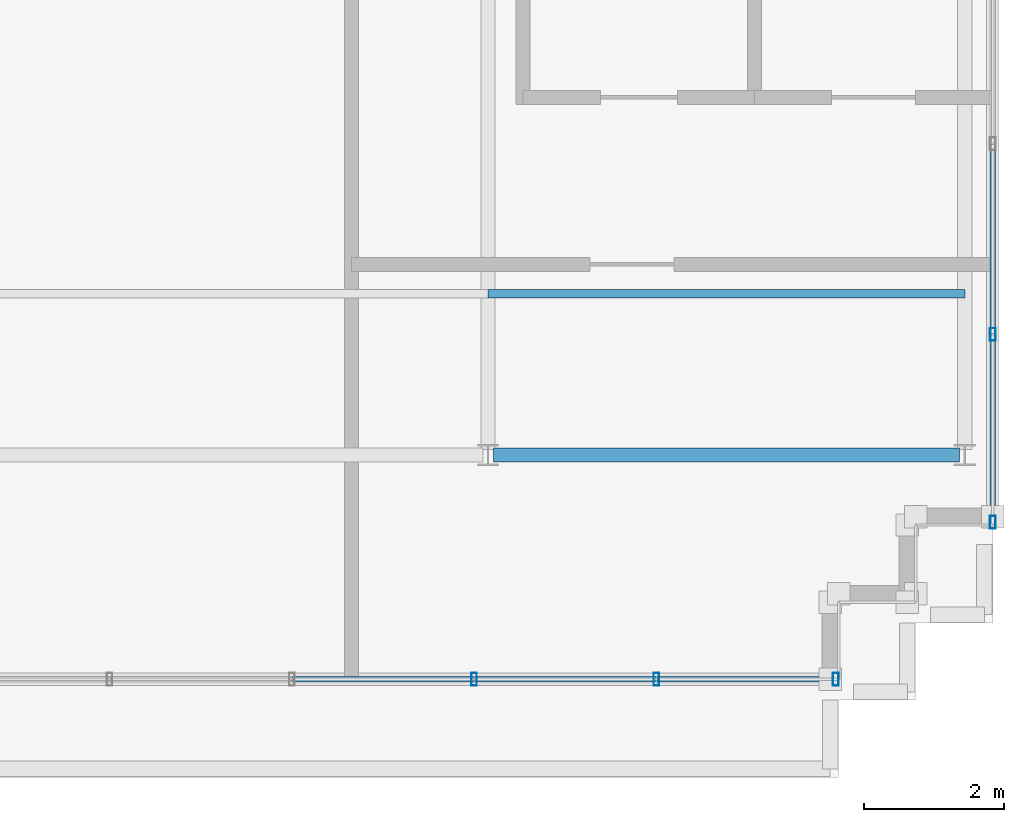
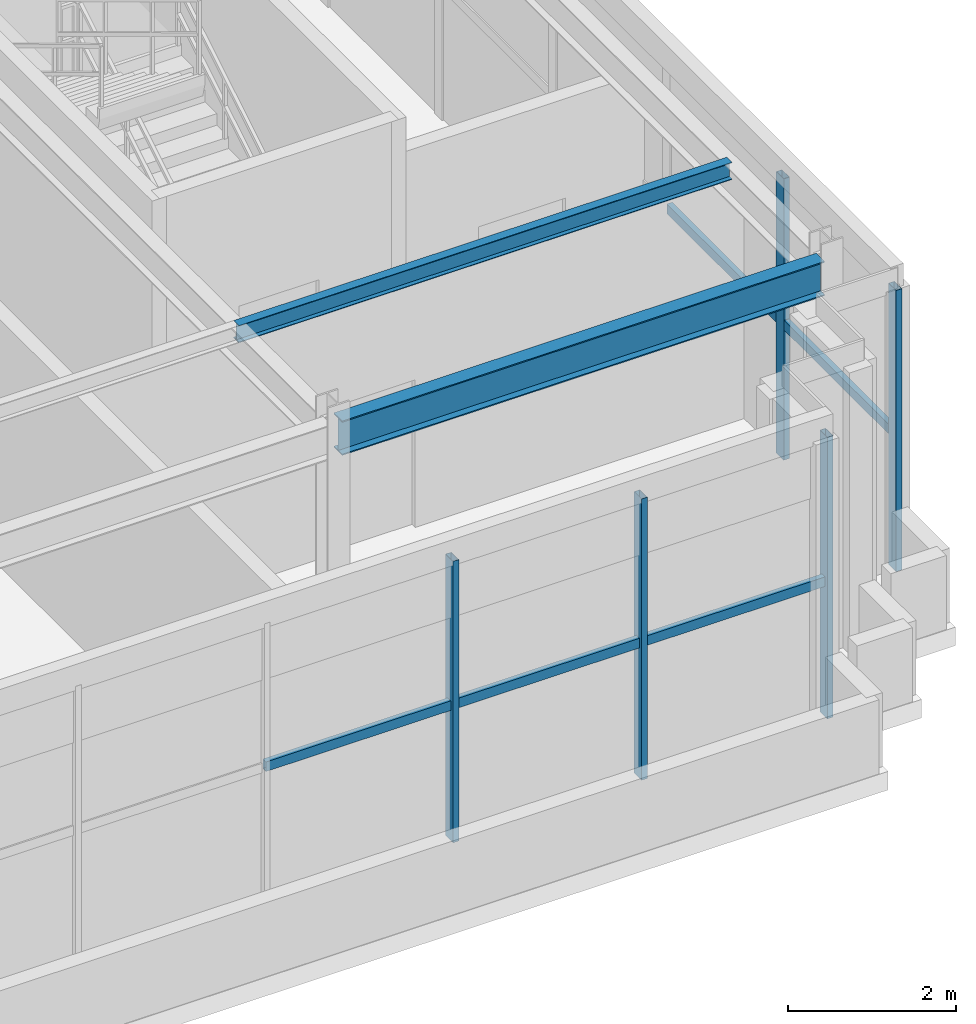
# One storey, part 18 of 37: 11 members, 1 beam, 2 elements without a shape of their own.
"""IFC4 building model written with IfcOpenShell, lengths in metres."""

from ifc_helpers import new_model, si_unit, direction, frame, origin, origin_2d, place, context, subcontext, project, spatial, hollow_rectangle, i_section, extrude, source, transform, mapped, material, material_profile, profile_set, type_object, element, aggregate, save


model = new_model("IFC4")

# Units and contexts
model_context = context("Model", 3, precision=1e-05, world=origin(), true_north=direction((0.0, 1.0)))
body_context = subcontext(model_context, "Body", "Model", "MODEL_VIEW")
ifc_project = project(units=[si_unit("LENGTHUNIT", "METRE"), si_unit("AREAUNIT", "SQUARE_METRE"), si_unit("VOLUMEUNIT", "CUBIC_METRE"), si_unit("PLANEANGLEUNIT", "RADIAN"), si_unit("MASSUNIT", "GRAM", prefix="KILO")], contexts=[model_context])

# Site, building, storey
site_placement = place(None, origin())
site = spatial("IfcSite", under=ifc_project, at=site_placement, CompositionType="ELEMENT")
building_placement = place(site_placement, origin())
building = spatial("IfcBuilding", under=site, at=building_placement, Name="Trelvane Seafront Commons", CompositionType="ELEMENT")
storey_placement = place(building_placement, frame((0.0, 0.0, 303.5)))
storey = spatial("IfcBuildingStorey", under=building, at=storey_placement, Name="L79", CompositionType="ELEMENT", Elevation=303.5)

# Beam
ifc_material_1 = material(Name="Steel SM355 (S355)", Category="steel")
ifc_material_profile_1 = material_profile(ifc_material_1, i_section(OverallWidth=0.199951171875, OverallDepth=0.5, WebThickness=0.010009765625, FlangeThickness=0.01611328125, at=origin_2d()), Name="H-500x200x10x16")
ifc_profile_set_1 = profile_set([ifc_material_profile_1], Name="Steel SM355 (S355)")
beam_type = type_object("IfcBeamType", Name="STR-CROWN-FRAME-RING", PredefinedType="SPANDREL", material=ifc_profile_set_1)
shared_shape_1 = source(origin(), body_context, "Body", "SweptSolid", [
    extrude(i_section(OverallWidth=0.199951171875, OverallDepth=0.5, WebThickness=0.010009765625, FlangeThickness=0.01611328125, at=origin_2d()), origin(), (0.0, 0.0, 1.0), 6.64990234375),
])
beam_placement = place(storey_placement, frame((58.875, 18.199951171875, 3.85009765625), z_axis=(1.0, 0.0, 0.0), x_axis=(0.0, 1.0, 0.0)))
element("IfcBeam", 1, at=beam_placement, inside=storey, type_object=beam_type, Name="L79 CROWN FRAME Ring Beam G-07", PredefinedType="SPANDREL", context=body_context, shape_type="MappedRepresentation", body=[
    mapped(shared_shape_1, transform((0.0, 0.0, 0.0), x_axis=(1.0, 0.0, 0.0), y_axis=(0.0, 1.0, 0.0), z_axis=(0.0, 0.0, 1.0), scale=1.0)),
])

# Member
ifc_material_profile_2 = material_profile(ifc_material_1, i_section(OverallWidth=0.125, OverallDepth=0.25, WebThickness=0.006103515625, FlangeThickness=0.009033203125, at=origin_2d()), Name="H-250x125x6x9")
ifc_profile_set_2 = profile_set([ifc_material_profile_2], Name="Steel SM355 (S355)")
member_type_1 = type_object("IfcMemberType", Name="STR-PUR-H250", PredefinedType="PURLIN", material=ifc_profile_set_2)
shared_shape_2 = source(origin(), body_context, "Body", "SweptSolid", [
    extrude(i_section(OverallWidth=0.125, OverallDepth=0.25, WebThickness=0.006103515625, FlangeThickness=0.009033203125, at=origin_2d()), origin(), (0.0, 0.0, 1.0), 6.800048828125),
])
member_1_placement = place(storey_placement, frame((58.800048828125, 20.5, 3.97509765625), z_axis=(1.0, 0.0, 0.0), x_axis=(0.0, 1.0, 0.0)))
element("IfcMember", 2, at=member_1_placement, inside=storey, type_object=member_type_1, Name="L79 Crown Roof Purlin PR-1", PredefinedType="PURLIN", context=body_context, shape_type="MappedRepresentation", body=[
    mapped(shared_shape_2, transform((0.0, 0.0, 0.0), x_axis=(1.0, 0.0, 0.0), y_axis=(0.0, 1.0, 0.0), z_axis=(0.0, 0.0, 1.0), scale=1.0)),
])

# Curtain wall, members
ifc_material_2 = material(Name="Anodised pale-silver aluminium", Category="aluminium")
curtain_wall_type = type_object("IfcCurtainWallType", Name="ARCH-CW6-CROWN", PredefinedType="NOTDEFINED", material=ifc_material_2)
curtain_wall_1_placement = place(storey_placement, origin())
curtain_wall_1 = element("IfcCurtainWall", 3, at=curtain_wall_1_placement, inside=storey, type_object=curtain_wall_type, Name="CW-L79-0130", PredefinedType="NOTDEFINED")
ifc_material_profile_3 = material_profile(ifc_material_2, hollow_rectangle(XDim=0.080078125, YDim=0.179931640625, WallThickness=0.00439453125, at=origin_2d()), Name="MULL-80x180x4.5")
ifc_profile_set_3 = profile_set([ifc_material_profile_3], Name="Anodised pale-silver aluminium")
member_type_2 = type_object("IfcMemberType", Name="ARCH-CW-MULL-180", PredefinedType="MULLION", material=ifc_profile_set_3)
shared_shape_3 = source(origin(), body_context, "Body", "SweptSolid", [
    extrude(hollow_rectangle(XDim=0.080078125, YDim=0.179931640625, WallThickness=0.00439453125, at=origin_2d()), origin(), (0.0, 0.0, 1.0), 4.10009765625),
])
member_2_placement = place(storey_placement, frame((66.0, 19.919921875, 0.0), z_axis=(0.0, 0.0, 1.0), x_axis=(1.0, 0.0, 0.0)))
member_2 = element("IfcMember", 4, at=member_2_placement, type_object=member_type_2, Name="CW-L79-0130-M09", PredefinedType="MULLION", context=body_context, shape_type="MappedRepresentation", body=[
    mapped(shared_shape_3, transform((0.0, 0.0, 0.0), x_axis=(1.0, 0.0, 0.0), y_axis=(0.0, 1.0, 0.0), z_axis=(0.0, 0.0, 1.0), scale=1.0)),
])
member_3_placement = place(storey_placement, frame((66.0, 17.239990234375, 0.0), z_axis=(0.0, 0.0, 1.0), x_axis=(1.0, 0.0, 0.0)))
member_3 = element("IfcMember", 5, at=member_3_placement, type_object=member_type_2, Name="CW-L79-0130-M10", PredefinedType="MULLION", context=body_context, shape_type="MappedRepresentation", body=[
    mapped(shared_shape_3, transform((0.0, 0.0, 0.0), x_axis=(1.0, 0.0, 0.0), y_axis=(0.0, 1.0, 0.0), z_axis=(0.0, 0.0, 1.0), scale=1.0)),
])

curtain_wall_2_placement = place(storey_placement, origin())
curtain_wall_2 = element("IfcCurtainWall", 6, at=curtain_wall_2_placement, inside=storey, type_object=curtain_wall_type, Name="CW-L79-0131", PredefinedType="NOTDEFINED")
member_4_placement = place(storey_placement, frame((63.760009765625, 15.0, 0.0), z_axis=(0.0, 0.0, 1.0), x_axis=(1.0, 0.0, 0.0)))
member_4 = element("IfcMember", 7, at=member_4_placement, type_object=member_type_2, Name="CW-L79-0131-M00", PredefinedType="MULLION", context=body_context, shape_type="MappedRepresentation", body=[
    mapped(shared_shape_3, transform((0.0, 0.0, 0.0), x_axis=(1.0, 0.0, 0.0), y_axis=(0.0, 1.0, 0.0), z_axis=(0.0, 0.0, 1.0), scale=1.0)),
])
member_5_placement = place(storey_placement, frame((61.199951171875, 15.0, 0.0), z_axis=(0.0, 0.0, 1.0), x_axis=(1.0, 0.0, 0.0)))
member_5 = element("IfcMember", 8, at=member_5_placement, type_object=member_type_2, Name="CW-L79-0131-M01", PredefinedType="MULLION", context=body_context, shape_type="MappedRepresentation", body=[
    mapped(shared_shape_3, transform((0.0, 0.0, 0.0), x_axis=(1.0, 0.0, 0.0), y_axis=(0.0, 1.0, 0.0), z_axis=(0.0, 0.0, 1.0), scale=1.0)),
])
member_6_placement = place(storey_placement, frame((58.60009765625, 15.0, 0.0), z_axis=(0.0, 0.0, 1.0), x_axis=(1.0, 0.0, 0.0)))
member_6 = element("IfcMember", 9, at=member_6_placement, type_object=member_type_2, Name="CW-L79-0131-M02", PredefinedType="MULLION", context=body_context, shape_type="MappedRepresentation", body=[
    mapped(shared_shape_3, transform((0.0, 0.0, 0.0), x_axis=(1.0, 0.0, 0.0), y_axis=(0.0, 1.0, 0.0), z_axis=(0.0, 0.0, 1.0), scale=1.0)),
])

# Member
ifc_material_profile_4 = material_profile(ifc_material_2, hollow_rectangle(XDim=0.074951171875, YDim=0.139892578125, WallThickness=0.00390625, at=origin_2d()), Name="TRAN-75x140x4")
ifc_profile_set_4 = profile_set([ifc_material_profile_4], Name="Anodised pale-silver aluminium")
member_type_3 = type_object("IfcMemberType", Name="ARCH-CW-TRAN-140", PredefinedType="USERDEFINED", material=ifc_profile_set_4)
shared_shape_4 = source(origin(), body_context, "Body", "SweptSolid", [
    extrude(hollow_rectangle(XDim=0.074951171875, YDim=0.139892578125, WallThickness=0.00390625, at=origin_2d()), origin(), (0.0, 0.0, 1.0), 2.696044921875),
])
member_7_placement = place(storey_placement, frame((66.0, 22.6279296875, 1.968017578125), z_axis=(0.0, -1.0, 0.0), x_axis=(1.0, 0.0, 0.0)))
member_7 = element("IfcMember", 10, at=member_7_placement, type_object=member_type_3, Name="CW-L79-0130-T08", ObjectType="TRANSOM", PredefinedType="USERDEFINED", context=body_context, shape_type="MappedRepresentation", body=[
    mapped(shared_shape_4, transform((0.0, 0.0, 0.0), x_axis=(1.0, 0.0, 0.0), y_axis=(0.0, 1.0, 0.0), z_axis=(0.0, 0.0, 1.0), scale=1.0)),
])

member_8_placement = place(storey_placement, frame((66.0, 19.907958984375, 1.968017578125), z_axis=(0.0, -1.0, 0.0), x_axis=(1.0, 0.0, 0.0)))
member_8 = element("IfcMember", 11, at=member_8_placement, type_object=member_type_3, Name="CW-L79-0130-T09", ObjectType="TRANSOM", PredefinedType="USERDEFINED", context=body_context, shape_type="MappedRepresentation", body=[
    mapped(shared_shape_4, transform((0.0, 0.0, 0.0), x_axis=(1.0, 0.0, 0.0), y_axis=(0.0, 1.0, 0.0), z_axis=(0.0, 0.0, 1.0), scale=1.0)),
])

aggregate(curtain_wall_1, [member_2, member_3, member_7, member_8])

shared_shape_5 = source(origin(), body_context, "Body", "SweptSolid", [
    extrude(hollow_rectangle(XDim=0.074951171875, YDim=0.139892578125, WallThickness=0.00390625, at=origin_2d()), origin(), (0.0, 0.0, 1.0), 2.576171875),
])
member_9_placement = place(storey_placement, frame((63.7880859375, 15.0, 1.968017578125), z_axis=(-1.0, 0.0, 0.0), x_axis=(0.0, -1.0, 0.0)))
member_9 = element("IfcMember", 12, at=member_9_placement, type_object=member_type_3, Name="CW-L79-0131-T00", ObjectType="TRANSOM", PredefinedType="USERDEFINED", context=body_context, shape_type="MappedRepresentation", body=[
    mapped(shared_shape_5, transform((0.0, 0.0, 0.0), x_axis=(1.0, 0.0, 0.0), y_axis=(0.0, 1.0, 0.0), z_axis=(0.0, 0.0, 1.0), scale=1.0)),
])

shared_shape_6 = source(origin(), body_context, "Body", "SweptSolid", [
    extrude(hollow_rectangle(XDim=0.074951171875, YDim=0.139892578125, WallThickness=0.00390625, at=origin_2d()), origin(), (0.0, 0.0, 1.0), 2.575927734375),
])
member_10_placement = place(storey_placement, frame((61.18798828125, 15.0, 1.968017578125), z_axis=(-1.0, 0.0, 0.0), x_axis=(0.0, -1.0, 0.0)))
member_10 = element("IfcMember", 13, at=member_10_placement, type_object=member_type_3, Name="CW-L79-0131-T01", ObjectType="TRANSOM", PredefinedType="USERDEFINED", context=body_context, shape_type="MappedRepresentation", body=[
    mapped(shared_shape_6, transform((0.0, 0.0, 0.0), x_axis=(1.0, 0.0, 0.0), y_axis=(0.0, 1.0, 0.0), z_axis=(0.0, 0.0, 1.0), scale=1.0)),
])

member_11_placement = place(storey_placement, frame((58.587890625, 15.0, 1.968017578125), z_axis=(-1.0, 0.0, 0.0), x_axis=(0.0, -1.0, 0.0)))
member_11 = element("IfcMember", 14, at=member_11_placement, type_object=member_type_3, Name="CW-L79-0131-T02", ObjectType="TRANSOM", PredefinedType="USERDEFINED", context=body_context, shape_type="MappedRepresentation", body=[
    mapped(shared_shape_6, transform((0.0, 0.0, 0.0), x_axis=(1.0, 0.0, 0.0), y_axis=(0.0, 1.0, 0.0), z_axis=(0.0, 0.0, 1.0), scale=1.0)),
])

aggregate(curtain_wall_2, [member_4, member_5, member_6, member_9, member_10, member_11])

save(model, "model.ifc")
